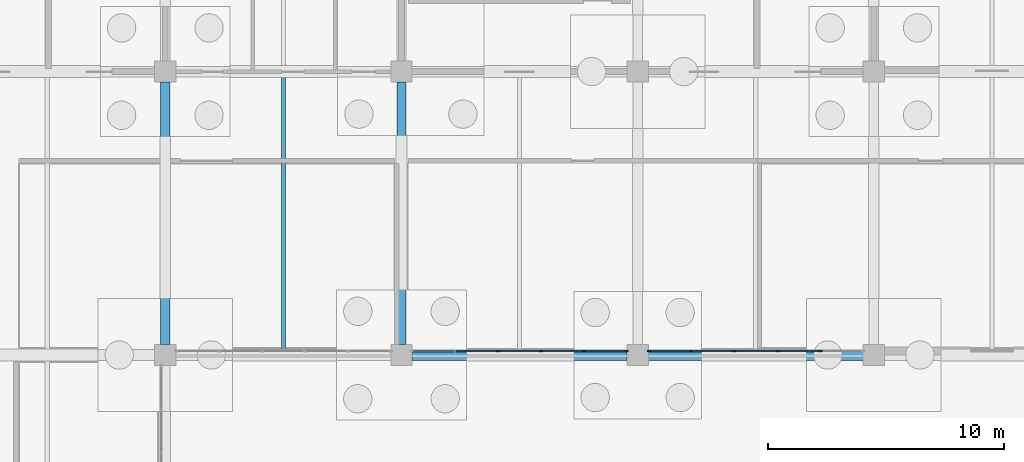
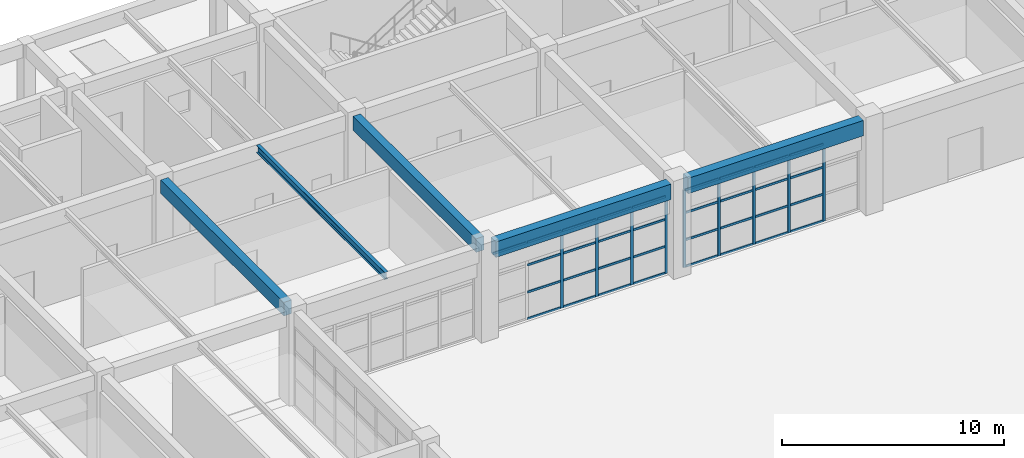
# One storey, part 60 of 99: 42 members, 5 beams, 2 elements without a shape of their own.
"""IFC4 building model written with IfcOpenShell, lengths in metres."""

import ifcopenshell
import ifcopenshell.guid

model = None  # the IFC model being written
_history = None  # IfcOwnerHistory: only IFC2X3 demands one
_inside = {}  # id of a spatial element -> (the spatial element, [elements in it])
_under = {}  # id of a project, library or spatial element -> (it, [spatial elements below it])
_declared = {}  # id of a project -> (the project, [libraries it declares])
_typed = {}  # id of a type object -> (the type object, [elements of that type])
_made_of = {}  # id of a material, layer set ... -> (it, [elements and type objects made of it])


def new_model(schema):
    """Start an empty IFC model of exactly this schema.

    Asked for "IFC4X3", IfcOpenShell would pick the latest addendum, in which some entities
    have other attributes; the version numbers below select the first issue.
    IFC2X3 requires an IfcOwnerHistory on every rooted entity: one is made here for all.
    """
    global model, _history
    if schema == "IFC4X3":
        model = ifcopenshell.file(schema_version=(4, 3, 0, 0))
    else:
        model = ifcopenshell.file(schema=schema)
    _inside.clear()
    _under.clear()
    _declared.clear()
    _typed.clear()
    _made_of.clear()
    _history = None
    if model.schema == "IFC2X3":
        org = make("IfcOrganization", Name="unknown")
        user = make(
            "IfcPersonAndOrganization",
            ThePerson=make("IfcPerson", FamilyName="unknown"),
            TheOrganization=org,
        )
        app = make(
            "IfcApplication",
            ApplicationDeveloper=org,
            Version="unknown",
            ApplicationFullName="unknown",
            ApplicationIdentifier="unknown",
        )
        _history = make(
            "IfcOwnerHistory",
            OwningUser=user,
            OwningApplication=app,
            ChangeAction="ADDED",
            CreationDate=0,
        )
    return model


def make(cls, **values):
    """One entity of the class cls with the attributes given. An attribute that is None is left unset."""
    return model.create_entity(
        cls, **{name: value for name, value in values.items() if value is not None}
    )


def rooted(cls, **values):
    """An entity with a GlobalId (a new one), such as an element, a storey or a relation."""
    return make(cls, GlobalId=ifcopenshell.guid.new(), OwnerHistory=_history, **values)


def si_unit(unit_type, name, prefix=None):
    """IfcSIUnit, for example si_unit("LENGTHUNIT", "METRE", prefix="MILLI")."""
    return make("IfcSIUnit", UnitType=unit_type, Prefix=prefix, Name=name)


def assignment(units):
    """IfcUnitAssignment: the units of a project."""
    return None if units is None else make("IfcUnitAssignment", Units=units)


def point(xyz):
    """IfcCartesianPoint."""
    return None if xyz is None else make("IfcCartesianPoint", Coordinates=xyz)


def direction(xyz):
    """IfcDirection."""
    return None if xyz is None else make("IfcDirection", DirectionRatios=xyz)


def frame(location, z_axis=None, x_axis=None):
    """IfcAxis2Placement3D, a coordinate frame: its origin and axes. An axis left out is left unset."""
    return make(
        "IfcAxis2Placement3D",
        Location=point(location),
        Axis=direction(z_axis),
        RefDirection=direction(x_axis),
    )


def frame_2d(location, x_axis=None):
    """IfcAxis2Placement2D, a coordinate frame in the plane: its origin and x axis."""
    return make(
        "IfcAxis2Placement2D", Location=point(location), RefDirection=direction(x_axis)
    )


def origin():
    """The frame at (0, 0, 0) with its axes left unset."""
    return frame((0.0, 0.0, 0.0))


def origin_2d():
    """The frame at (0, 0) in the plane with its x axis left unset."""
    return frame_2d((0.0, 0.0))


def place(relative_to, where):
    """IfcLocalPlacement: puts the frame where relative to a parent placement (None: the world)."""
    return make(
        "IfcLocalPlacement", PlacementRelTo=relative_to, RelativePlacement=where
    )


def context(
    kind, dimensions, precision=None, world=None, true_north=None, identifier=None
):
    """IfcGeometricRepresentationContext, for example the 3D "Model" context."""
    return make(
        "IfcGeometricRepresentationContext",
        ContextIdentifier=identifier,
        ContextType=kind,
        CoordinateSpaceDimension=dimensions,
        Precision=precision,
        WorldCoordinateSystem=world,
        TrueNorth=true_north,
    )


def subcontext(parent, identifier, kind, view, scale=None):
    """IfcGeometricRepresentationSubContext, for example "Body" below "Model"."""
    return make(
        "IfcGeometricRepresentationSubContext",
        ContextIdentifier=identifier,
        ContextType=kind,
        ParentContext=parent,
        TargetScale=scale,
        TargetView=view,
    )


def project(units=None, contexts=None):
    """IfcProject with its units and contexts."""
    return rooted(
        "IfcProject",
        Name="project",
        RepresentationContexts=contexts,
        UnitsInContext=assignment(units),
    )


def spatial(cls, under=None, at=None, **own):
    """A site, building, storey or space (cls), placed at a placement, below another one or the project."""
    s = rooted(cls, ObjectPlacement=at, **own)
    if under is not None:
        _under.setdefault(under.id(), (under, []))[1].append(s)
    return s


def profile(cls, at=None, kind="AREA", **sizes):
    """A parametric profile (cls). Its sizes go by their IFC names, for example OverallWidth=200.0."""
    return make(cls, ProfileType=kind, Position=at, **sizes)


def rectangle(**sizes):
    """IfcRectangleProfileDef."""
    return profile("IfcRectangleProfileDef", **sizes)


def i_section(**sizes):
    """IfcIShapeProfileDef."""
    return profile("IfcIShapeProfileDef", **sizes)


def extrude(swept, where, along, depth):
    """IfcExtrudedAreaSolid: the profile swept, set in the frame where, extruded along a direction by depth."""
    return make(
        "IfcExtrudedAreaSolid",
        SweptArea=swept,
        Position=where,
        ExtrudedDirection=direction(along),
        Depth=depth,
    )


def shape(context_of_items, identifier, shape_type, items):
    """IfcShapeRepresentation: the items that make up one representation, for example the "Body"."""
    return make(
        "IfcShapeRepresentation",
        ContextOfItems=context_of_items,
        RepresentationIdentifier=identifier,
        RepresentationType=shape_type,
        Items=items,
    )


def material(Name=None, Category=None):
    """IfcMaterial."""
    return make("IfcMaterial", Name=Name, Category=Category)


def layer(
    of_material, thickness, ventilated=None, Name=None, Category=None, Priority=None
):
    """IfcMaterialLayer: one layer of a wall or slab, of a material (None: an air gap)."""
    return make(
        "IfcMaterialLayer",
        Material=of_material,
        LayerThickness=thickness,
        IsVentilated=ventilated,
        Name=Name,
        Category=Category,
        Priority=Priority,
    )


def layer_set(layers, Name=None):
    """IfcMaterialLayerSet."""
    return make("IfcMaterialLayerSet", MaterialLayers=layers, LayerSetName=Name)


def material_profile(
    of_material, cross_section, Name=None, Category=None, Priority=None
):
    """IfcMaterialProfile: a cross section and its material."""
    return make(
        "IfcMaterialProfile",
        Name=Name,
        Material=of_material,
        Profile=cross_section,
        Priority=Priority,
        Category=Category,
    )


def profile_set(profiles, Name=None, composite=None):
    """IfcMaterialProfileSet."""
    return make(
        "IfcMaterialProfileSet",
        Name=Name,
        MaterialProfiles=profiles,
        CompositeProfile=composite,
    )


def made_of(thing, what):
    """Note that an element or type object is made of a material, layer set ...; save() writes the relation."""
    if what is not None:
        _made_of.setdefault(what.id(), (what, []))[1].append(thing)
    return thing


def type_object(cls, material=None, **own):
    """A type object (cls), such as IfcWallType, which elements share."""
    return made_of(rooted(cls, **own), material)


def element(
    cls,
    number,
    at=None,
    inside=None,
    cuts=None,
    type_object=None,
    material=None,
    context=None,
    identifier="Body",
    shape_type=None,
    held_by="IfcProductDefinitionShape",
    body=None,
    shapes=None,
    **own,
):
    """One element of the class cls, such as IfcWall. Its Tag is "e" and its number.

    at: its placement. inside: the storey or other place that contains it. cuts: it is an
    opening in that element (IfcRelVoidsElement). A single representation is given by context,
    identifier, shape_type and body (its items); several are given by shapes. held_by: the class
    of the entity that holds the representations. save() writes the other relations.
    """
    e = rooted(cls, Tag="e%d" % number, ObjectPlacement=at, **own)
    if body is not None:
        shapes = [shape(context, identifier, shape_type, body)]
    if shapes is not None:
        e.Representation = make(held_by, Representations=shapes)
    if inside is not None:
        _inside.setdefault(inside.id(), (inside, []))[1].append(e)
    if cuts is not None:
        rooted(
            "IfcRelVoidsElement", RelatingBuildingElement=cuts, RelatedOpeningElement=e
        )
    if type_object is not None:
        _typed.setdefault(type_object.id(), (type_object, []))[1].append(e)
    return made_of(e, material)


def aggregate(whole, parts):
    """IfcRelAggregates: a whole, such as a stair, and the parts it consists of."""
    return rooted("IfcRelAggregates", RelatingObject=whole, RelatedObjects=parts)


def save(model, path):
    """Write the relations noted so far, then the file.

    IfcRelAggregates (storeys below a building ...), IfcRelContainedInSpatialStructure (elements
    in a storey), IfcRelDefinesByType, IfcRelAssociatesMaterial and IfcRelDeclares: one each for
    every whole, place, type object, material and project.
    """
    for whole, parts in _under.values():
        aggregate(whole, parts)
    for where, things in _inside.values():
        rooted(
            "IfcRelContainedInSpatialStructure",
            RelatedElements=things,
            RelatingStructure=where,
        )
    for kind, things in _typed.values():
        rooted("IfcRelDefinesByType", RelatedObjects=things, RelatingType=kind)
    for what, things in _made_of.values():
        rooted("IfcRelAssociatesMaterial", RelatedObjects=things, RelatingMaterial=what)
    for by, libraries in _declared.values():
        rooted("IfcRelDeclares", RelatingContext=by, RelatedDefinitions=libraries)
    model.write(path)


model = new_model("IFC4")

# Units and contexts
model_context = context("Model", 3, precision=1e-05, world=origin(), true_north=direction((0.0, 1.0)))
body_context = subcontext(model_context, "Body", "Model", "MODEL_VIEW")
ifc_project = project(units=[si_unit("LENGTHUNIT", "METRE"), si_unit("AREAUNIT", "SQUARE_METRE"), si_unit("VOLUMEUNIT", "CUBIC_METRE"), si_unit("PLANEANGLEUNIT", "RADIAN"), si_unit("MASSUNIT", "GRAM", prefix="KILO")], contexts=[model_context])

# Site, building, storey
site_placement = place(None, origin())
site = spatial("IfcSite", under=ifc_project, at=site_placement, CompositionType="ELEMENT")
building_placement = place(site_placement, origin())
building = spatial("IfcBuilding", under=site, at=building_placement, Name="Kivolera Central Railway Station", CompositionType="ELEMENT")
storey_placement = place(building_placement, origin())
storey = spatial("IfcBuildingStorey", under=building, at=storey_placement, Name="L00", CompositionType="ELEMENT", Elevation=0.0)

# Beams
ifc_material_1 = material(Name="Steel S355", Category="steel")
ifc_material_profile_1 = material_profile(ifc_material_1, i_section(OverallWidth=0.179931640625, OverallDepth=0.39990234375, WebThickness=0.008544921875, FlangeThickness=0.013427734375, FilletRadius=0.02099609375, at=origin_2d()), Name="IPE 400")
ifc_profile_set_1 = profile_set([ifc_material_profile_1], Name="Steel S355")
beam_type_1 = type_object("IfcBeamType", Name="BM-JST-IPE400", PredefinedType="JOIST", material=ifc_profile_set_1)
beam_placement = place(storey_placement, frame((143.0, 114.217041015625, 4.907958984375), z_axis=(0.0, 1.0, 0.0), x_axis=(-1.0, 0.0, 0.0)))
element("IfcBeam", 1, at=beam_placement, inside=storey, type_object=beam_type_1, Name="L00 Floor Joist 14-15/K-L", PredefinedType="JOIST", context=body_context, shape_type="SweptSolid", body=[
    extrude(i_section(OverallWidth=0.179931640625, OverallDepth=0.39990234375, WebThickness=0.008544921875, FlangeThickness=0.013427734375, FilletRadius=0.02099609375, at=origin_2d()), origin(), (0.0, 0.0, 1.0), 11.56591796875),
])
ifc_material_2 = material(Name="Concrete C40/50", Category="concrete")
ifc_material_profile_2 = material_profile(ifc_material_2, rectangle(XDim=0.39990234375, YDim=0.75, at=origin_2d()), Name="RC 400x750")
ifc_profile_set_2 = profile_set([ifc_material_profile_2], Name="Concrete C40/50")
beam_type_2 = type_object("IfcBeamType", Name="BM-RC-400x750", PredefinedType="BEAM", material=ifc_profile_set_2)
for number, where, z_axis, x_axis, name in (
    (2, (138.0, 114.44189453125, 4.7451171875), (0.0, 1.0, 0.0), (-1.0, 0.0, 0.0), "L00 Wing Y-Beam 14:K-L"),
    (3, (148.0, 114.44189453125, 4.7451171875), (0.0, 1.0, 0.0), (-1.0, 0.0, 0.0), "L00 Wing Y-Beam 15:K-L"),
):
    element("IfcBeam", number, at=place(storey_placement, frame(where, z_axis=z_axis, x_axis=x_axis)), inside=storey, type_object=beam_type_2, Name=name, PredefinedType="BEAM", context=body_context, shape_type="SweptSolid", body=[
        extrude(rectangle(XDim=0.39990234375, YDim=0.75, at=origin_2d()), origin(), (0.0, 0.0, 1.0), 11.1162109375),
    ])
ifc_material_profile_3 = material_profile(ifc_material_2, rectangle(XDim=0.449951171875, YDim=0.85009765625, at=origin_2d()), Name="RC 450x850")
ifc_profile_set_3 = profile_set([ifc_material_profile_3], Name="Concrete C40/50")
beam_type_3 = type_object("IfcBeamType", Name="BM-RC-450x850", PredefinedType="BEAM", material=ifc_profile_set_3)
for number, where, z_axis, x_axis, name in (
    (4, (148.44189453125, 114.0, 4.695068359375), (1.0, 0.0, 0.0), (0.0, 1.0, 0.0), "L00 Wing X-Beam K:15-16"),
    (5, (158.44189453125, 114.0, 4.695068359375), (1.0, 0.0, 0.0), (0.0, 1.0, 0.0), "L00 Wing X-Beam K:16-17"),
):
    element("IfcBeam", number, at=place(storey_placement, frame(where, z_axis=z_axis, x_axis=x_axis)), inside=storey, type_object=beam_type_3, Name=name, PredefinedType="BEAM", context=body_context, shape_type="SweptSolid", body=[
        extrude(rectangle(XDim=0.449951171875, YDim=0.85009765625, at=origin_2d()), origin(), (0.0, 0.0, 1.0), 9.1162109375),
    ])

# Curtain wall, members
ifc_material_3 = material(Name="Anodised aluminium", Category="aluminium")
ifc_layer = layer(ifc_material_3, 0.179931640625, Name="Anodised aluminium")
ifc_layer_set = layer_set([ifc_layer], Name="Anodised aluminium")
curtain_wall_type = type_object("IfcCurtainWallType", Name="CW-SYS-21", PredefinedType="NOTDEFINED", material=ifc_layer_set)
curtain_wall_1_placement = place(storey_placement, origin())
curtain_wall_1 = element("IfcCurtainWall", 6, at=curtain_wall_1_placement, inside=storey, type_object=curtain_wall_type, Name="L00 Curtain Wall CW-L00-CRTN-148", PredefinedType="NOTDEFINED")
ifc_material_profile_4 = material_profile(ifc_material_3, rectangle(XDim=0.06005859375, YDim=0.14990234375, at=origin_2d()), Name="ALU MULL 60x150")
ifc_profile_set_4 = profile_set([ifc_material_profile_4], Name="Anodised aluminium")
member_type_1 = type_object("IfcMemberType", Name="CWM-MUL-2", PredefinedType="MULLION", material=ifc_profile_set_4)
member_1_placement = place(storey_placement, frame((157.52490234375, 114.169921875, -0.0048828125), z_axis=(0.0, 0.0, 1.0), x_axis=(0.0, -1.0, 0.0)))
member_1 = element("IfcMember", 7, at=member_1_placement, type_object=member_type_1, Name="CW-21 mullion 1", PredefinedType="MULLION", context=body_context, shape_type="SweptSolid", body=[
    extrude(rectangle(XDim=0.06005859375, YDim=0.14990234375, at=origin_2d()), origin(), (0.0, 0.0, 1.0), 4.262939453125),
])
member_2_placement = place(storey_placement, frame((155.73291015625, 114.169921875, -0.0048828125), z_axis=(0.0, 0.0, 1.0), x_axis=(0.0, -1.0, 0.0)))
member_2 = element("IfcMember", 8, at=member_2_placement, type_object=member_type_1, Name="CW-21 mullion 2", PredefinedType="MULLION", context=body_context, shape_type="SweptSolid", body=[
    extrude(rectangle(XDim=0.06005859375, YDim=0.14990234375, at=origin_2d()), origin(), (0.0, 0.0, 1.0), 4.262939453125),
])
member_3_placement = place(storey_placement, frame((153.910888671875, 114.169921875, -0.0048828125), z_axis=(0.0, 0.0, 1.0), x_axis=(0.0, -1.0, 0.0)))
member_3 = element("IfcMember", 9, at=member_3_placement, type_object=member_type_1, Name="CW-21 mullion 3", PredefinedType="MULLION", context=body_context, shape_type="SweptSolid", body=[
    extrude(rectangle(XDim=0.06005859375, YDim=0.14990234375, at=origin_2d()), origin(), (0.0, 0.0, 1.0), 4.262939453125),
])
member_4_placement = place(storey_placement, frame((152.089111328125, 114.169921875, -0.0048828125), z_axis=(0.0, 0.0, 1.0), x_axis=(0.0, -1.0, 0.0)))
member_4 = element("IfcMember", 10, at=member_4_placement, type_object=member_type_1, Name="CW-21 mullion 4", PredefinedType="MULLION", context=body_context, shape_type="SweptSolid", body=[
    extrude(rectangle(XDim=0.06005859375, YDim=0.14990234375, at=origin_2d()), origin(), (0.0, 0.0, 1.0), 4.262939453125),
])

curtain_wall_2_placement = place(storey_placement, origin())
curtain_wall_2 = element("IfcCurtainWall", 11, at=curtain_wall_2_placement, inside=storey, type_object=curtain_wall_type, Name="L00 Curtain Wall CW-L00-CRTN-158", PredefinedType="NOTDEFINED")
member_5_placement = place(storey_placement, frame((165.73291015625, 114.169921875, -0.0048828125), z_axis=(0.0, 0.0, 1.0), x_axis=(0.0, -1.0, 0.0)))
member_5 = element("IfcMember", 12, at=member_5_placement, type_object=member_type_1, Name="CW-21 mullion 2", PredefinedType="MULLION", context=body_context, shape_type="SweptSolid", body=[
    extrude(rectangle(XDim=0.06005859375, YDim=0.14990234375, at=origin_2d()), origin(), (0.0, 0.0, 1.0), 4.262939453125),
])
member_6_placement = place(storey_placement, frame((163.910888671875, 114.169921875, -0.0048828125), z_axis=(0.0, 0.0, 1.0), x_axis=(0.0, -1.0, 0.0)))
member_6 = element("IfcMember", 13, at=member_6_placement, type_object=member_type_1, Name="CW-21 mullion 3", PredefinedType="MULLION", context=body_context, shape_type="SweptSolid", body=[
    extrude(rectangle(XDim=0.06005859375, YDim=0.14990234375, at=origin_2d()), origin(), (0.0, 0.0, 1.0), 4.262939453125),
])
member_7_placement = place(storey_placement, frame((162.089111328125, 114.169921875, -0.0048828125), z_axis=(0.0, 0.0, 1.0), x_axis=(0.0, -1.0, 0.0)))
member_7 = element("IfcMember", 14, at=member_7_placement, type_object=member_type_1, Name="CW-21 mullion 4", PredefinedType="MULLION", context=body_context, shape_type="SweptSolid", body=[
    extrude(rectangle(XDim=0.06005859375, YDim=0.14990234375, at=origin_2d()), origin(), (0.0, 0.0, 1.0), 4.262939453125),
])
member_8_placement = place(storey_placement, frame((160.26708984375, 114.169921875, -0.0048828125), z_axis=(0.0, 0.0, 1.0), x_axis=(0.0, -1.0, 0.0)))
member_8 = element("IfcMember", 15, at=member_8_placement, type_object=member_type_1, Name="CW-21 mullion 5", PredefinedType="MULLION", context=body_context, shape_type="SweptSolid", body=[
    extrude(rectangle(XDim=0.06005859375, YDim=0.14990234375, at=origin_2d()), origin(), (0.0, 0.0, 1.0), 4.262939453125),
])
member_9_placement = place(storey_placement, frame((158.47509765625, 114.169921875, -0.0048828125), z_axis=(0.0, 0.0, 1.0), x_axis=(0.0, -1.0, 0.0)))
member_9 = element("IfcMember", 16, at=member_9_placement, type_object=member_type_1, Name="CW-21 mullion 6", PredefinedType="MULLION", context=body_context, shape_type="SweptSolid", body=[
    extrude(rectangle(XDim=0.06005859375, YDim=0.14990234375, at=origin_2d()), origin(), (0.0, 0.0, 1.0), 4.262939453125),
])

# Member
ifc_material_profile_5 = material_profile(ifc_material_3, rectangle(XDim=0.06005859375, YDim=0.1201171875, at=origin_2d()), Name="ALU TRAN 60x120")
ifc_profile_set_5 = profile_set([ifc_material_profile_5], Name="Anodised aluminium")
member_type_2 = type_object("IfcMemberType", Name="CWM-TRN-2", PredefinedType="USERDEFINED", material=ifc_profile_set_5)
member_10_placement = place(storey_placement, frame((157.4951171875, 114.169921875, 0.030029296875), z_axis=(-1.0, 0.0, 0.0), x_axis=(0.0, -1.0, 0.0)))
member_10 = element("IfcMember", 17, at=member_10_placement, type_object=member_type_2, Name="CW-21 transom 1.1", ObjectType="TRANSOM", PredefinedType="USERDEFINED", context=body_context, shape_type="SweptSolid", body=[
    extrude(rectangle(XDim=0.06005859375, YDim=0.1201171875, at=origin_2d()), origin(), (0.0, 0.0, 1.0), 1.732177734375),
])

member_11_placement = place(storey_placement, frame((157.4951171875, 114.169921875, 1.490234375), z_axis=(-1.0, 0.0, 0.0), x_axis=(0.0, -1.0, 0.0)))
member_11 = element("IfcMember", 18, at=member_11_placement, type_object=member_type_2, Name="CW-21 transom 1.2", ObjectType="TRANSOM", PredefinedType="USERDEFINED", context=body_context, shape_type="SweptSolid", body=[
    extrude(rectangle(XDim=0.06005859375, YDim=0.1201171875, at=origin_2d()), origin(), (0.0, 0.0, 1.0), 1.732177734375),
])

member_12_placement = place(storey_placement, frame((157.4951171875, 114.169921875, 2.980712890625), z_axis=(-1.0, 0.0, 0.0), x_axis=(0.0, -1.0, 0.0)))
member_12 = element("IfcMember", 19, at=member_12_placement, type_object=member_type_2, Name="CW-21 transom 1.3", ObjectType="TRANSOM", PredefinedType="USERDEFINED", context=body_context, shape_type="SweptSolid", body=[
    extrude(rectangle(XDim=0.06005859375, YDim=0.1201171875, at=origin_2d()), origin(), (0.0, 0.0, 1.0), 1.732177734375),
])

member_13_placement = place(storey_placement, frame((157.4951171875, 114.169921875, 4.22802734375), z_axis=(-1.0, 0.0, 0.0), x_axis=(0.0, -1.0, 0.0)))
member_13 = element("IfcMember", 20, at=member_13_placement, type_object=member_type_2, Name="CW-21 transom 1.4", ObjectType="TRANSOM", PredefinedType="USERDEFINED", context=body_context, shape_type="SweptSolid", body=[
    extrude(rectangle(XDim=0.06005859375, YDim=0.1201171875, at=origin_2d()), origin(), (0.0, 0.0, 1.0), 1.732177734375),
])

member_14_placement = place(storey_placement, frame((155.702880859375, 114.169921875, 0.030029296875), z_axis=(-1.0, 0.0, 0.0), x_axis=(0.0, -1.0, 0.0)))
member_14 = element("IfcMember", 21, at=member_14_placement, type_object=member_type_2, Name="CW-21 transom 2.1", ObjectType="TRANSOM", PredefinedType="USERDEFINED", context=body_context, shape_type="SweptSolid", body=[
    extrude(rectangle(XDim=0.06005859375, YDim=0.1201171875, at=origin_2d()), origin(), (0.0, 0.0, 1.0), 1.761962890625),
])

member_15_placement = place(storey_placement, frame((155.702880859375, 114.169921875, 1.490234375), z_axis=(-1.0, 0.0, 0.0), x_axis=(0.0, -1.0, 0.0)))
member_15 = element("IfcMember", 22, at=member_15_placement, type_object=member_type_2, Name="CW-21 transom 2.2", ObjectType="TRANSOM", PredefinedType="USERDEFINED", context=body_context, shape_type="SweptSolid", body=[
    extrude(rectangle(XDim=0.06005859375, YDim=0.1201171875, at=origin_2d()), origin(), (0.0, 0.0, 1.0), 1.761962890625),
])

member_16_placement = place(storey_placement, frame((155.702880859375, 114.169921875, 2.980712890625), z_axis=(-1.0, 0.0, 0.0), x_axis=(0.0, -1.0, 0.0)))
member_16 = element("IfcMember", 23, at=member_16_placement, type_object=member_type_2, Name="CW-21 transom 2.3", ObjectType="TRANSOM", PredefinedType="USERDEFINED", context=body_context, shape_type="SweptSolid", body=[
    extrude(rectangle(XDim=0.06005859375, YDim=0.1201171875, at=origin_2d()), origin(), (0.0, 0.0, 1.0), 1.761962890625),
])

member_17_placement = place(storey_placement, frame((155.702880859375, 114.169921875, 4.22802734375), z_axis=(-1.0, 0.0, 0.0), x_axis=(0.0, -1.0, 0.0)))
member_17 = element("IfcMember", 24, at=member_17_placement, type_object=member_type_2, Name="CW-21 transom 2.4", ObjectType="TRANSOM", PredefinedType="USERDEFINED", context=body_context, shape_type="SweptSolid", body=[
    extrude(rectangle(XDim=0.06005859375, YDim=0.1201171875, at=origin_2d()), origin(), (0.0, 0.0, 1.0), 1.761962890625),
])

member_18_placement = place(storey_placement, frame((153.881103515625, 114.169921875, 0.030029296875), z_axis=(-1.0, 0.0, 0.0), x_axis=(0.0, -1.0, 0.0)))
member_18 = element("IfcMember", 25, at=member_18_placement, type_object=member_type_2, Name="CW-21 transom 3.1", ObjectType="TRANSOM", PredefinedType="USERDEFINED", context=body_context, shape_type="SweptSolid", body=[
    extrude(rectangle(XDim=0.06005859375, YDim=0.1201171875, at=origin_2d()), origin(), (0.0, 0.0, 1.0), 1.76220703125),
])

member_19_placement = place(storey_placement, frame((153.881103515625, 114.169921875, 1.490234375), z_axis=(-1.0, 0.0, 0.0), x_axis=(0.0, -1.0, 0.0)))
member_19 = element("IfcMember", 26, at=member_19_placement, type_object=member_type_2, Name="CW-21 transom 3.2", ObjectType="TRANSOM", PredefinedType="USERDEFINED", context=body_context, shape_type="SweptSolid", body=[
    extrude(rectangle(XDim=0.06005859375, YDim=0.1201171875, at=origin_2d()), origin(), (0.0, 0.0, 1.0), 1.76220703125),
])

member_20_placement = place(storey_placement, frame((153.881103515625, 114.169921875, 2.980712890625), z_axis=(-1.0, 0.0, 0.0), x_axis=(0.0, -1.0, 0.0)))
member_20 = element("IfcMember", 27, at=member_20_placement, type_object=member_type_2, Name="CW-21 transom 3.3", ObjectType="TRANSOM", PredefinedType="USERDEFINED", context=body_context, shape_type="SweptSolid", body=[
    extrude(rectangle(XDim=0.06005859375, YDim=0.1201171875, at=origin_2d()), origin(), (0.0, 0.0, 1.0), 1.76220703125),
])

member_21_placement = place(storey_placement, frame((153.881103515625, 114.169921875, 4.22802734375), z_axis=(-1.0, 0.0, 0.0), x_axis=(0.0, -1.0, 0.0)))
member_21 = element("IfcMember", 28, at=member_21_placement, type_object=member_type_2, Name="CW-21 transom 3.4", ObjectType="TRANSOM", PredefinedType="USERDEFINED", context=body_context, shape_type="SweptSolid", body=[
    extrude(rectangle(XDim=0.06005859375, YDim=0.1201171875, at=origin_2d()), origin(), (0.0, 0.0, 1.0), 1.76220703125),
])

member_22_placement = place(storey_placement, frame((152.05908203125, 114.169921875, 0.030029296875), z_axis=(-1.0, 0.0, 0.0), x_axis=(0.0, -1.0, 0.0)))
member_22 = element("IfcMember", 29, at=member_22_placement, type_object=member_type_2, Name="CW-21 transom 4.1", ObjectType="TRANSOM", PredefinedType="USERDEFINED", context=body_context, shape_type="SweptSolid", body=[
    extrude(rectangle(XDim=0.06005859375, YDim=0.1201171875, at=origin_2d()), origin(), (0.0, 0.0, 1.0), 1.761962890625),
])

member_23_placement = place(storey_placement, frame((152.05908203125, 114.169921875, 1.490234375), z_axis=(-1.0, 0.0, 0.0), x_axis=(0.0, -1.0, 0.0)))
member_23 = element("IfcMember", 30, at=member_23_placement, type_object=member_type_2, Name="CW-21 transom 4.2", ObjectType="TRANSOM", PredefinedType="USERDEFINED", context=body_context, shape_type="SweptSolid", body=[
    extrude(rectangle(XDim=0.06005859375, YDim=0.1201171875, at=origin_2d()), origin(), (0.0, 0.0, 1.0), 1.761962890625),
])

member_24_placement = place(storey_placement, frame((152.05908203125, 114.169921875, 2.980712890625), z_axis=(-1.0, 0.0, 0.0), x_axis=(0.0, -1.0, 0.0)))
member_24 = element("IfcMember", 31, at=member_24_placement, type_object=member_type_2, Name="CW-21 transom 4.3", ObjectType="TRANSOM", PredefinedType="USERDEFINED", context=body_context, shape_type="SweptSolid", body=[
    extrude(rectangle(XDim=0.06005859375, YDim=0.1201171875, at=origin_2d()), origin(), (0.0, 0.0, 1.0), 1.761962890625),
])

member_25_placement = place(storey_placement, frame((152.05908203125, 114.169921875, 4.22802734375), z_axis=(-1.0, 0.0, 0.0), x_axis=(0.0, -1.0, 0.0)))
member_25 = element("IfcMember", 32, at=member_25_placement, type_object=member_type_2, Name="CW-21 transom 4.4", ObjectType="TRANSOM", PredefinedType="USERDEFINED", context=body_context, shape_type="SweptSolid", body=[
    extrude(rectangle(XDim=0.06005859375, YDim=0.1201171875, at=origin_2d()), origin(), (0.0, 0.0, 1.0), 1.761962890625),
])

member_26_placement = place(storey_placement, frame((150.237060546875, 114.169921875, 4.22802734375), z_axis=(-1.0, 0.0, 0.0), x_axis=(0.0, -1.0, 0.0)))
member_26 = element("IfcMember", 33, at=member_26_placement, type_object=member_type_2, Name="CW-21 transom 5.4", ObjectType="TRANSOM", PredefinedType="USERDEFINED", context=body_context, shape_type="SweptSolid", body=[
    extrude(rectangle(XDim=0.06005859375, YDim=0.1201171875, at=origin_2d()), origin(), (0.0, 0.0, 1.0), 1.732177734375),
])

aggregate(curtain_wall_1, [member_1, member_2, member_3, member_4, member_10, member_11, member_12, member_13, member_14, member_15, member_16, member_17, member_18, member_19, member_20, member_21, member_22, member_23, member_24, member_25, member_26])

member_27_placement = place(storey_placement, frame((165.702880859375, 114.169921875, 0.030029296875), z_axis=(-1.0, 0.0, 0.0), x_axis=(0.0, -1.0, 0.0)))
member_27 = element("IfcMember", 34, at=member_27_placement, type_object=member_type_2, Name="CW-21 transom 2.1", ObjectType="TRANSOM", PredefinedType="USERDEFINED", context=body_context, shape_type="SweptSolid", body=[
    extrude(rectangle(XDim=0.06005859375, YDim=0.1201171875, at=origin_2d()), origin(), (0.0, 0.0, 1.0), 1.761962890625),
])

member_28_placement = place(storey_placement, frame((165.702880859375, 114.169921875, 1.490234375), z_axis=(-1.0, 0.0, 0.0), x_axis=(0.0, -1.0, 0.0)))
member_28 = element("IfcMember", 35, at=member_28_placement, type_object=member_type_2, Name="CW-21 transom 2.2", ObjectType="TRANSOM", PredefinedType="USERDEFINED", context=body_context, shape_type="SweptSolid", body=[
    extrude(rectangle(XDim=0.06005859375, YDim=0.1201171875, at=origin_2d()), origin(), (0.0, 0.0, 1.0), 1.761962890625),
])

member_29_placement = place(storey_placement, frame((165.702880859375, 114.169921875, 2.980712890625), z_axis=(-1.0, 0.0, 0.0), x_axis=(0.0, -1.0, 0.0)))
member_29 = element("IfcMember", 36, at=member_29_placement, type_object=member_type_2, Name="CW-21 transom 2.3", ObjectType="TRANSOM", PredefinedType="USERDEFINED", context=body_context, shape_type="SweptSolid", body=[
    extrude(rectangle(XDim=0.06005859375, YDim=0.1201171875, at=origin_2d()), origin(), (0.0, 0.0, 1.0), 1.761962890625),
])

member_30_placement = place(storey_placement, frame((165.702880859375, 114.169921875, 4.22802734375), z_axis=(-1.0, 0.0, 0.0), x_axis=(0.0, -1.0, 0.0)))
member_30 = element("IfcMember", 37, at=member_30_placement, type_object=member_type_2, Name="CW-21 transom 2.4", ObjectType="TRANSOM", PredefinedType="USERDEFINED", context=body_context, shape_type="SweptSolid", body=[
    extrude(rectangle(XDim=0.06005859375, YDim=0.1201171875, at=origin_2d()), origin(), (0.0, 0.0, 1.0), 1.761962890625),
])

member_31_placement = place(storey_placement, frame((163.881103515625, 114.169921875, 0.030029296875), z_axis=(-1.0, 0.0, 0.0), x_axis=(0.0, -1.0, 0.0)))
member_31 = element("IfcMember", 38, at=member_31_placement, type_object=member_type_2, Name="CW-21 transom 3.1", ObjectType="TRANSOM", PredefinedType="USERDEFINED", context=body_context, shape_type="SweptSolid", body=[
    extrude(rectangle(XDim=0.06005859375, YDim=0.1201171875, at=origin_2d()), origin(), (0.0, 0.0, 1.0), 1.76220703125),
])

member_32_placement = place(storey_placement, frame((163.881103515625, 114.169921875, 1.490234375), z_axis=(-1.0, 0.0, 0.0), x_axis=(0.0, -1.0, 0.0)))
member_32 = element("IfcMember", 39, at=member_32_placement, type_object=member_type_2, Name="CW-21 transom 3.2", ObjectType="TRANSOM", PredefinedType="USERDEFINED", context=body_context, shape_type="SweptSolid", body=[
    extrude(rectangle(XDim=0.06005859375, YDim=0.1201171875, at=origin_2d()), origin(), (0.0, 0.0, 1.0), 1.76220703125),
])

member_33_placement = place(storey_placement, frame((163.881103515625, 114.169921875, 2.980712890625), z_axis=(-1.0, 0.0, 0.0), x_axis=(0.0, -1.0, 0.0)))
member_33 = element("IfcMember", 40, at=member_33_placement, type_object=member_type_2, Name="CW-21 transom 3.3", ObjectType="TRANSOM", PredefinedType="USERDEFINED", context=body_context, shape_type="SweptSolid", body=[
    extrude(rectangle(XDim=0.06005859375, YDim=0.1201171875, at=origin_2d()), origin(), (0.0, 0.0, 1.0), 1.76220703125),
])

member_34_placement = place(storey_placement, frame((163.881103515625, 114.169921875, 4.22802734375), z_axis=(-1.0, 0.0, 0.0), x_axis=(0.0, -1.0, 0.0)))
member_34 = element("IfcMember", 41, at=member_34_placement, type_object=member_type_2, Name="CW-21 transom 3.4", ObjectType="TRANSOM", PredefinedType="USERDEFINED", context=body_context, shape_type="SweptSolid", body=[
    extrude(rectangle(XDim=0.06005859375, YDim=0.1201171875, at=origin_2d()), origin(), (0.0, 0.0, 1.0), 1.76220703125),
])

member_35_placement = place(storey_placement, frame((162.05908203125, 114.169921875, 0.030029296875), z_axis=(-1.0, 0.0, 0.0), x_axis=(0.0, -1.0, 0.0)))
member_35 = element("IfcMember", 42, at=member_35_placement, type_object=member_type_2, Name="CW-21 transom 4.1", ObjectType="TRANSOM", PredefinedType="USERDEFINED", context=body_context, shape_type="SweptSolid", body=[
    extrude(rectangle(XDim=0.06005859375, YDim=0.1201171875, at=origin_2d()), origin(), (0.0, 0.0, 1.0), 1.761962890625),
])

member_36_placement = place(storey_placement, frame((162.05908203125, 114.169921875, 1.490234375), z_axis=(-1.0, 0.0, 0.0), x_axis=(0.0, -1.0, 0.0)))
member_36 = element("IfcMember", 43, at=member_36_placement, type_object=member_type_2, Name="CW-21 transom 4.2", ObjectType="TRANSOM", PredefinedType="USERDEFINED", context=body_context, shape_type="SweptSolid", body=[
    extrude(rectangle(XDim=0.06005859375, YDim=0.1201171875, at=origin_2d()), origin(), (0.0, 0.0, 1.0), 1.761962890625),
])

member_37_placement = place(storey_placement, frame((162.05908203125, 114.169921875, 2.980712890625), z_axis=(-1.0, 0.0, 0.0), x_axis=(0.0, -1.0, 0.0)))
member_37 = element("IfcMember", 44, at=member_37_placement, type_object=member_type_2, Name="CW-21 transom 4.3", ObjectType="TRANSOM", PredefinedType="USERDEFINED", context=body_context, shape_type="SweptSolid", body=[
    extrude(rectangle(XDim=0.06005859375, YDim=0.1201171875, at=origin_2d()), origin(), (0.0, 0.0, 1.0), 1.761962890625),
])

member_38_placement = place(storey_placement, frame((162.05908203125, 114.169921875, 4.22802734375), z_axis=(-1.0, 0.0, 0.0), x_axis=(0.0, -1.0, 0.0)))
member_38 = element("IfcMember", 45, at=member_38_placement, type_object=member_type_2, Name="CW-21 transom 4.4", ObjectType="TRANSOM", PredefinedType="USERDEFINED", context=body_context, shape_type="SweptSolid", body=[
    extrude(rectangle(XDim=0.06005859375, YDim=0.1201171875, at=origin_2d()), origin(), (0.0, 0.0, 1.0), 1.761962890625),
])

member_39_placement = place(storey_placement, frame((160.237060546875, 114.169921875, 0.030029296875), z_axis=(-1.0, 0.0, 0.0), x_axis=(0.0, -1.0, 0.0)))
member_39 = element("IfcMember", 46, at=member_39_placement, type_object=member_type_2, Name="CW-21 transom 5.1", ObjectType="TRANSOM", PredefinedType="USERDEFINED", context=body_context, shape_type="SweptSolid", body=[
    extrude(rectangle(XDim=0.06005859375, YDim=0.1201171875, at=origin_2d()), origin(), (0.0, 0.0, 1.0), 1.732177734375),
])

member_40_placement = place(storey_placement, frame((160.237060546875, 114.169921875, 1.490234375), z_axis=(-1.0, 0.0, 0.0), x_axis=(0.0, -1.0, 0.0)))
member_40 = element("IfcMember", 47, at=member_40_placement, type_object=member_type_2, Name="CW-21 transom 5.2", ObjectType="TRANSOM", PredefinedType="USERDEFINED", context=body_context, shape_type="SweptSolid", body=[
    extrude(rectangle(XDim=0.06005859375, YDim=0.1201171875, at=origin_2d()), origin(), (0.0, 0.0, 1.0), 1.732177734375),
])

member_41_placement = place(storey_placement, frame((160.237060546875, 114.169921875, 2.980712890625), z_axis=(-1.0, 0.0, 0.0), x_axis=(0.0, -1.0, 0.0)))
member_41 = element("IfcMember", 48, at=member_41_placement, type_object=member_type_2, Name="CW-21 transom 5.3", ObjectType="TRANSOM", PredefinedType="USERDEFINED", context=body_context, shape_type="SweptSolid", body=[
    extrude(rectangle(XDim=0.06005859375, YDim=0.1201171875, at=origin_2d()), origin(), (0.0, 0.0, 1.0), 1.732177734375),
])

member_42_placement = place(storey_placement, frame((160.237060546875, 114.169921875, 4.22802734375), z_axis=(-1.0, 0.0, 0.0), x_axis=(0.0, -1.0, 0.0)))
member_42 = element("IfcMember", 49, at=member_42_placement, type_object=member_type_2, Name="CW-21 transom 5.4", ObjectType="TRANSOM", PredefinedType="USERDEFINED", context=body_context, shape_type="SweptSolid", body=[
    extrude(rectangle(XDim=0.06005859375, YDim=0.1201171875, at=origin_2d()), origin(), (0.0, 0.0, 1.0), 1.732177734375),
])

aggregate(curtain_wall_2, [member_5, member_6, member_7, member_8, member_9, member_27, member_28, member_29, member_30, member_31, member_32, member_33, member_34, member_35, member_36, member_37, member_38, member_39, member_40, member_41, member_42])

save(model, "model.ifc")
